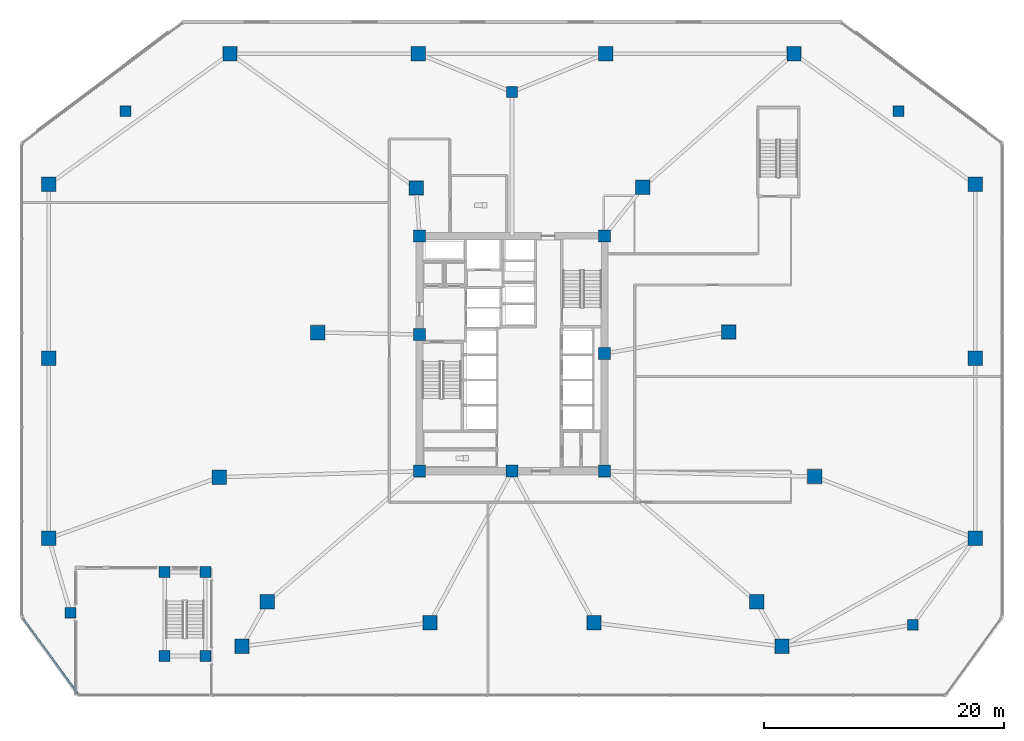
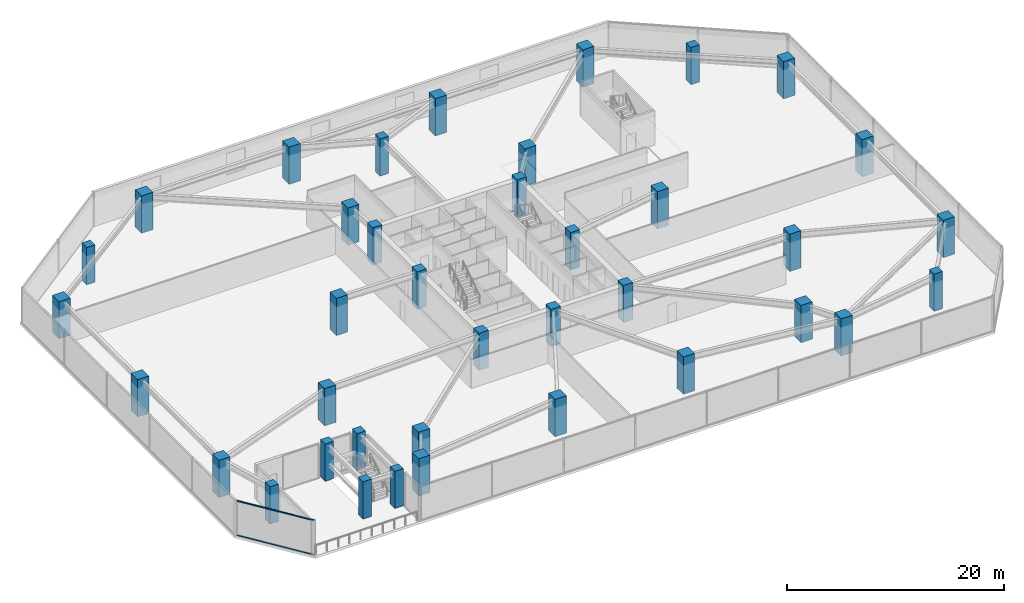
# One storey, part 1 of 21: 38 columns, 2 members, 1 element without a shape of its own.
"""IFC4 building model written with IfcOpenShell, lengths in metres."""

from ifc_helpers import new_model, si_unit, direction, frame, origin, origin_2d, place, context, subcontext, project, spatial, rectangle, extrude, material, material_profile, profile_set, type_object, element, aggregate, save


model = new_model("IFC4")

# Units and contexts
model_context = context("Model", 3, precision=1e-05, world=origin(), true_north=direction((0.0, 1.0)))
body_context = subcontext(model_context, "Body", "Model", "MODEL_VIEW")
ifc_project = project(units=[si_unit("LENGTHUNIT", "METRE"), si_unit("AREAUNIT", "SQUARE_METRE"), si_unit("VOLUMEUNIT", "CUBIC_METRE"), si_unit("PLANEANGLEUNIT", "RADIAN"), si_unit("MASSUNIT", "GRAM", prefix="KILO")], contexts=[model_context])

# Site, building, storey
site_placement = place(None, origin())
site = spatial("IfcSite", under=ifc_project, at=site_placement, CompositionType="ELEMENT")
building_placement = place(site_placement, origin())
building = spatial("IfcBuilding", under=site, at=building_placement, Name="Savorim Split Tower", CompositionType="ELEMENT")
storey_placement = place(building_placement, frame((0.0, 0.0, 9.199951171875)))
storey = spatial("IfcBuildingStorey", under=building, at=storey_placement, Name="L02", CompositionType="ELEMENT", Elevation=9.199951171875)

# Columns
ifc_material_1 = material(Name="Concrete C60/75", Category="concrete")
ifc_material_profile_1 = material_profile(ifc_material_1, rectangle(XDim=1.0, YDim=1.0, at=origin_2d()), Name="RC 1000x1000")
ifc_profile_set_1 = profile_set([ifc_material_profile_1], Name="Concrete C60/75")
column_type_1 = type_object("IfcColumnType", Name="COL-RC-1000", PredefinedType="COLUMN", material=ifc_profile_set_1)
for number, where, z_axis, x_axis, name in (
    (1, (-7.699951171875, -9.39990234375, 0.0), (0.0, 0.0, 1.0), (1.0, 0.0, 0.0), "L02 Core Structural Column TC-C1"),
    (2, (7.699951171875, -9.39990234375, 0.0), (0.0, 0.0, 1.0), (1.0, 0.0, 0.0), "L02 Core Structural Column TC-C2"),
    (3, (7.699951171875, 10.199951171875, 0.0), (0.0, 0.0, 1.0), (1.0, 0.0, 0.0), "L02 Core Structural Column TC-C3"),
    (4, (-7.699951171875, 10.199951171875, 0.0), (0.0, 0.0, 1.0), (1.0, 0.0, 0.0), "L02 Core Structural Column TC-C4"),
    (5, (0.0, -9.39990234375, 0.0), (0.0, 0.0, 1.0), (1.0, 0.0, 0.0), "L02 Core Structural Column TC-C5"),
    (6, (7.699951171875, 0.39990234375, 0.0), (0.0, 0.0, 1.0), (1.0, 0.0, 0.0), "L02 Core Structural Column TC-C6"),
    (7, (-7.699951171875, 2.0, 0.0), (0.0, 0.0, 1.0), (1.0, 0.0, 0.0), "L02 Core Structural Column TC-C7"),
):
    element("IfcColumn", number, at=place(storey_placement, frame(where, z_axis=z_axis, x_axis=x_axis)), inside=storey, type_object=column_type_1, Name=name, PredefinedType="COLUMN", context=body_context, shape_type="SweptSolid", body=[
        extrude(rectangle(XDim=1.0, YDim=1.0, at=origin_2d()), origin(), (0.0, 0.0, 1.0), 4.199951171875),
    ])
ifc_material_profile_2 = material_profile(ifc_material_1, rectangle(XDim=1.199951171875, YDim=1.199951171875, at=origin_2d()), Name="RC 1200x1200")
ifc_profile_set_2 = profile_set([ifc_material_profile_2], Name="Concrete C60/75")
column_type_2 = type_object("IfcColumnType", Name="COL-RC-1200", PredefinedType="COLUMN", material=ifc_profile_set_2)
for number, where, z_axis, x_axis, name in (
    (8, (38.60009765625, -15.0, 0.0), (0.0, 0.0, 1.0), (1.0, 0.0, 0.0), "L02 Podium Perimeter Column DC-05"),
    (9, (38.60009765625, 0.0, 0.0), (0.0, 0.0, 1.0), (1.0, 0.0, 0.0), "L02 Podium Perimeter Column DC-06"),
    (10, (38.60009765625, 14.5, 0.0), (0.0, 0.0, 1.0), (1.0, 0.0, 0.0), "L02 Podium Perimeter Column DC-07"),
    (11, (23.5, 25.39990234375, 0.0), (0.0, 0.0, 1.0), (1.0, 0.0, 0.0), "L02 Podium Perimeter Column DC-08"),
    (12, (7.800048828125, 25.39990234375, 0.0), (0.0, 0.0, 1.0), (1.0, 0.0, 0.0), "L02 Podium Perimeter Column DC-09"),
    (13, (-7.800048828125, 25.39990234375, 0.0), (0.0, 0.0, 1.0), (1.0, 0.0, 0.0), "L02 Podium Perimeter Column DC-10"),
    (14, (-23.5, 25.39990234375, 0.0), (0.0, 0.0, 1.0), (1.0, 0.0, 0.0), "L02 Podium Perimeter Column DC-11"),
    (15, (-38.60009765625, 14.5, 0.0), (0.0, 0.0, 1.0), (1.0, 0.0, 0.0), "L02 Podium Perimeter Column DC-12"),
    (16, (-38.60009765625, 0.0, 0.0), (0.0, 0.0, 1.0), (1.0, 0.0, 0.0), "L02 Podium Perimeter Column DC-13"),
    (17, (-38.60009765625, -15.0, 0.0), (0.0, 0.0, 1.0), (1.0, 0.0, 0.0), "L02 Podium Perimeter Column DC-14"),
    (18, (-22.5, -24.0, 0.0), (0.0, 0.0, 1.0), (1.0, 0.0, 0.0), "L02 Podium Perimeter Column DC-01"),
    (19, (22.5, -24.0, 0.0), (0.0, 0.0, 1.0), (1.0, 0.0, 0.0), "L02 Podium Perimeter Column DC-04"),
    (20, (-20.384033203125, -20.291748046875, 0.0), (0.0, 0.0, 1.0), (1.0, 0.0, 0.0), "L02 Tower Transfer Pier Column PC-S1"),
    (21, (-6.831787109375, -22.03173828125, 0.0), (0.0, 0.0, 1.0), (1.0, 0.0, 0.0), "L02 Tower Transfer Pier Column PC-S2"),
    (22, (6.831787109375, -22.03173828125, 0.0), (0.0, 0.0, 1.0), (1.0, 0.0, 0.0), "L02 Tower Transfer Pier Column PC-S3"),
    (23, (20.384033203125, -20.291748046875, 0.0), (0.0, 0.0, 1.0), (1.0, 0.0, 0.0), "L02 Tower Transfer Pier Column PC-S4"),
    (24, (25.21337890625, -9.845458984375, 0.0), (0.0, 0.0, 1.0), (1.0, 0.0, 0.0), "L02 Tower Transfer Pier Column PC-E1"),
    (25, (18.049560546875, 2.202392578125, 0.0), (0.0, 0.0, 1.0), (1.0, 0.0, 0.0), "L02 Tower Transfer Pier Column PC-E2"),
    (26, (10.885498046875, 14.25048828125, 0.0), (0.0, 0.0, 1.0), (1.0, 0.0, 0.0), "L02 Tower Transfer Pier Column PC-E3"),
    (27, (-7.992431640625, 14.20166015625, 0.0), (0.0, 0.0, 1.0), (1.0, 0.0, 0.0), "L02 Tower Transfer Pier Column PC-W1"),
    (28, (-16.1884765625, 2.15380859375, 0.0), (0.0, 0.0, 1.0), (1.0, 0.0, 0.0), "L02 Tower Transfer Pier Column PC-W2"),
    (29, (-24.384521484375, -9.894287109375, 0.0), (0.0, 0.0, 1.0), (1.0, 0.0, 0.0), "L02 Tower Transfer Pier Column PC-W3"),
):
    element("IfcColumn", number, at=place(storey_placement, frame(where, z_axis=z_axis, x_axis=x_axis)), inside=storey, type_object=column_type_2, Name=name, PredefinedType="COLUMN", context=body_context, shape_type="SweptSolid", body=[
        extrude(rectangle(XDim=1.199951171875, YDim=1.199951171875, at=origin_2d()), origin(), (0.0, 0.0, 1.0), 4.199951171875),
    ])
ifc_material_profile_3 = material_profile(ifc_material_1, rectangle(XDim=0.89990234375, YDim=0.89990234375, at=origin_2d()), Name="RC 900x900")
ifc_profile_set_3 = profile_set([ifc_material_profile_3], Name="Concrete C60/75")
column_type_3 = type_object("IfcColumnType", Name="COL-RC-900", PredefinedType="COLUMN", material=ifc_profile_set_3)
for number, where, z_axis, x_axis, name in (
    (30, (33.39990234375, -22.199951171875, 0.0), (0.0, 0.0, 1.0), (1.0, 0.0, 0.0), "L02 Podium Support Column GC-01"),
    (31, (32.199951171875, 20.60009765625, 0.0), (0.0, 0.0, 1.0), (1.0, 0.0, 0.0), "L02 Podium Support Column GC-02"),
    (32, (-32.199951171875, 20.60009765625, 0.0), (0.0, 0.0, 1.0), (1.0, 0.0, 0.0), "L02 Podium Support Column GC-03"),
    (33, (-36.800048828125, -21.199951171875, 0.0), (0.0, 0.0, 1.0), (1.0, 0.0, 0.0), "L02 Podium Support Column GC-04"),
    (34, (0.0, 22.199951171875, 0.0), (0.0, 0.0, 1.0), (1.0, 0.0, 0.0), "L02 Podium Support Column GC-05"),
    (35, (-28.949951171875, -24.800048828125, 0.0), (0.0, 0.0, 1.0), (1.0, 0.0, 0.0), "L02 Podium Support Column GSC-1"),
    (36, (-25.550048828125, -24.800048828125, 0.0), (0.0, 0.0, 1.0), (1.0, 0.0, 0.0), "L02 Podium Support Column GSC-2"),
    (37, (-28.949951171875, -17.800048828125, 0.0), (0.0, 0.0, 1.0), (1.0, 0.0, 0.0), "L02 Podium Support Column GSC-3"),
    (38, (-25.550048828125, -17.800048828125, 0.0), (0.0, 0.0, 1.0), (1.0, 0.0, 0.0), "L02 Podium Support Column GSC-4"),
):
    element("IfcColumn", number, at=place(storey_placement, frame(where, z_axis=z_axis, x_axis=x_axis)), inside=storey, type_object=column_type_3, Name=name, PredefinedType="COLUMN", context=body_context, shape_type="SweptSolid", body=[
        extrude(rectangle(XDim=0.89990234375, YDim=0.89990234375, at=origin_2d()), origin(), (0.0, 0.0, 1.0), 4.199951171875),
    ])

# Curtain wall, members
ifc_material_2 = material(Name="Dark Ceramic-Fritted Insulated Glass", Category="glass")
curtain_wall_type = type_object("IfcCurtainWallType", Name="CW-POD-GLZ", PredefinedType="NOTDEFINED", material=ifc_material_2)
curtain_wall_placement = place(storey_placement, origin())
curtain_wall = element("IfcCurtainWall", 39, at=curtain_wall_placement, inside=storey, type_object=curtain_wall_type, Name="L02 Curtain Wall CW-L02-E11", PredefinedType="NOTDEFINED")
ifc_material_3 = material(Name="Charcoal Anodised Aluminium", Category="aluminium")
ifc_material_profile_4 = material_profile(ifc_material_3, rectangle(XDim=0.159912109375, YDim=0.06005859375, at=origin_2d()), Name="ALU-T 160x60")
ifc_profile_set_4 = profile_set([ifc_material_profile_4], Name="Charcoal Anodised Aluminium")
member_type = type_object("IfcMemberType", Name="CWT-160x60", PredefinedType="USERDEFINED", material=ifc_profile_set_4)
member_1_placement = place(storey_placement, frame((-40.7470703125, -21.67578125, 0.030029296875), z_axis=(0.588177323599, -0.808731992692, 0.0), x_axis=(0.808731992692, 0.588177323599, 0.0)))
member_1 = element("IfcMember", 40, at=member_1_placement, type_object=member_type, Name="CW-01 transom 1.1", ObjectType="TRANSOM", PredefinedType="USERDEFINED", context=body_context, shape_type="SweptSolid", body=[
    extrude(rectangle(XDim=0.159912109375, YDim=0.06005859375, at=origin_2d()), origin(), (0.0, 0.0, 1.0), 7.74072265625),
])
member_2_placement = place(storey_placement, frame((-40.7470703125, -21.67578125, 3.89013671875), z_axis=(0.588177323599, -0.808731992692, 0.0), x_axis=(0.808731992692, 0.588177323599, 0.0)))
member_2 = element("IfcMember", 41, at=member_2_placement, type_object=member_type, Name="CW-01 transom 1.2", ObjectType="TRANSOM", PredefinedType="USERDEFINED", context=body_context, shape_type="SweptSolid", body=[
    extrude(rectangle(XDim=0.159912109375, YDim=0.06005859375, at=origin_2d()), origin(), (0.0, 0.0, 1.0), 7.74072265625),
])
aggregate(curtain_wall, [member_1, member_2])

save(model, "model.ifc")
